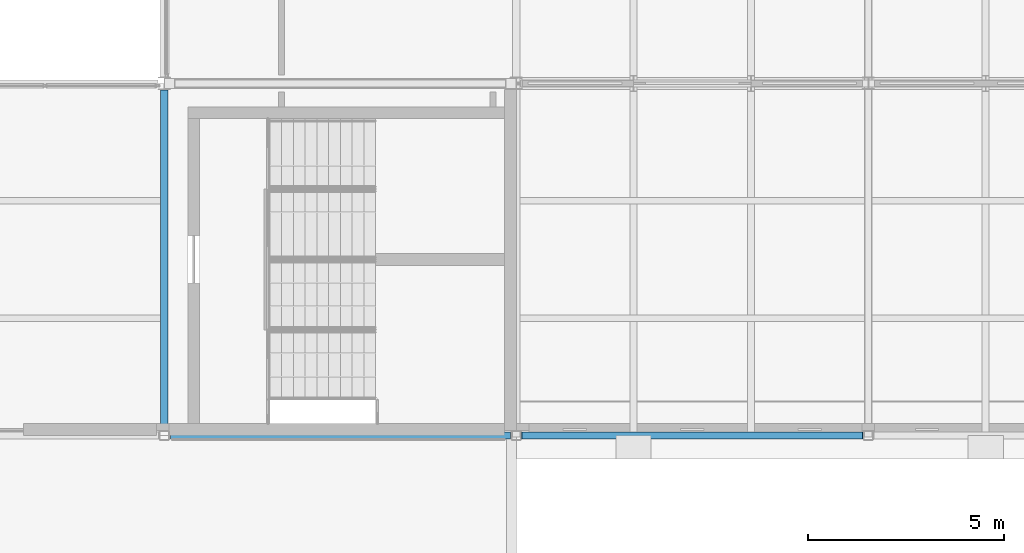
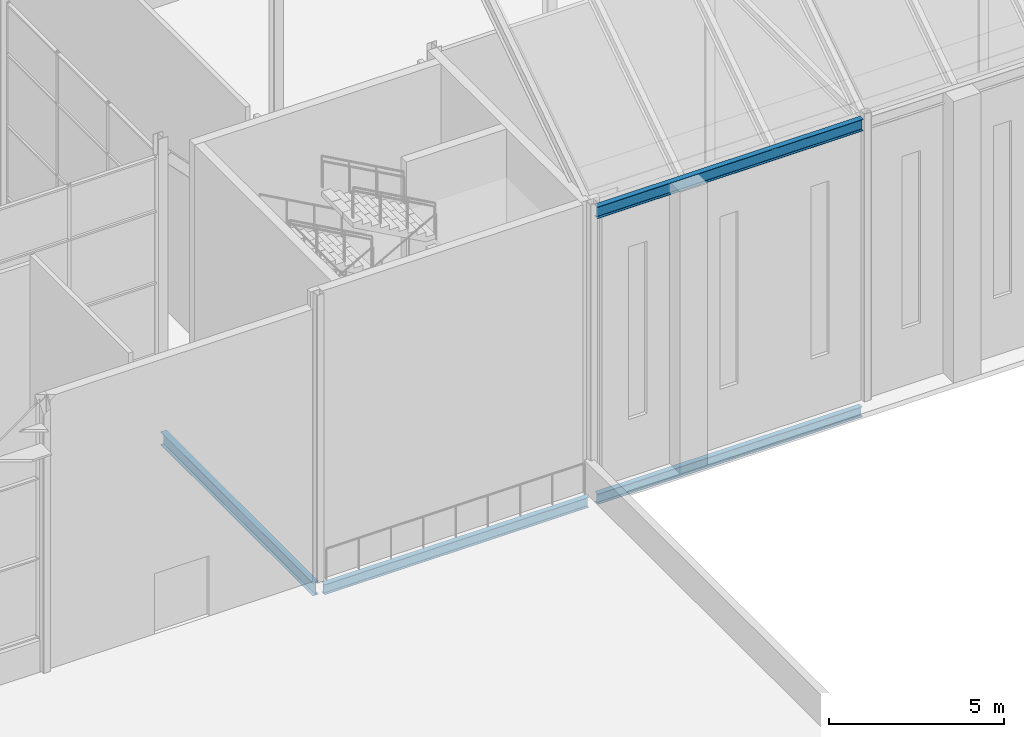
# One storey, part 29 of 111: 4 beams.
"""IFC4 building model written with IfcOpenShell, lengths in metres."""

from ifc_helpers import new_model, si_unit, direction, frame, origin, origin_2d, place, context, subcontext, project, spatial, i_section, extrude, material, material_profile, profile_set, type_object, element, save


model = new_model("IFC4")

# Units and contexts
model_context = context("Model", 3, precision=1e-05, world=origin(), true_north=direction((0.0, 1.0)))
body_context = subcontext(model_context, "Body", "Model", "MODEL_VIEW")
ifc_project = project(units=[si_unit("LENGTHUNIT", "METRE"), si_unit("AREAUNIT", "SQUARE_METRE"), si_unit("VOLUMEUNIT", "CUBIC_METRE"), si_unit("PLANEANGLEUNIT", "RADIAN"), si_unit("MASSUNIT", "GRAM", prefix="KILO")], contexts=[model_context])

# Site, building, storey
site_placement = place(None, origin())
site = spatial("IfcSite", under=ifc_project, at=site_placement, CompositionType="ELEMENT")
building_placement = place(site_placement, origin())
building = spatial("IfcBuilding", under=site, at=building_placement, Name="Shorebreak Coast Museum", CompositionType="ELEMENT")
storey_placement = place(building_placement, frame((0.0, 0.0, 16.0)))
storey = spatial("IfcBuildingStorey", under=building, at=storey_placement, Name="L03", CompositionType="ELEMENT", Elevation=16.0)

# Beams
ifc_material_1 = material(Name="Steel Grade 300", Category="steel")
ifc_material_profile_1 = material_profile(ifc_material_1, i_section(OverallWidth=0.1708984375, OverallDepth=0.355712890625, WebThickness=0.00732421875, FlangeThickness=0.011474609375, FilletRadius=0.011474609375, at=origin_2d()), Name="360UB50.7")
ifc_profile_set_1 = profile_set([ifc_material_profile_1], Name="Steel Grade 300")
beam_type_1 = type_object("IfcBeamType", Name="Floor girder east-west 360UB50.7", PredefinedType="BEAM", material=ifc_profile_set_1)
beam_1_placement = place(storey_placement, frame((108.153564453125, 54.0, -0.352783203125), z_axis=(1.0, 0.0, 0.0), x_axis=(0.0, 1.0, 0.0)))
element("IfcBeam", 1, at=beam_1_placement, inside=storey, type_object=beam_type_1, Name="Floor girder east-west L03 13G", PredefinedType="BEAM", context=body_context, shape_type="SweptSolid", body=[
    extrude(i_section(OverallWidth=0.1708984375, OverallDepth=0.355712890625, WebThickness=0.00732421875, FlangeThickness=0.011474609375, FilletRadius=0.011474609375, at=origin_2d()), origin(), (0.0, 0.0, 1.0), 8.696533203125),
])
beam_2_placement = place(storey_placement, frame((117.14990234375, 54.0, -0.352783203125), z_axis=(1.0, 0.0, 0.0), x_axis=(0.0, 1.0, 0.0)))
element("IfcBeam", 2, at=beam_2_placement, inside=storey, type_object=beam_type_1, Name="Floor girder east-west L03 14G", PredefinedType="BEAM", context=body_context, shape_type="SweptSolid", body=[
    extrude(i_section(OverallWidth=0.1708984375, OverallDepth=0.355712890625, WebThickness=0.00732421875, FlangeThickness=0.011474609375, FilletRadius=0.011474609375, at=origin_2d()), origin(), (0.0, 0.0, 1.0), 8.7001953125),
])
ifc_material_2 = material(Name="Steel Grade 300", Category="steel")
ifc_material_profile_2 = material_profile(ifc_material_2, i_section(OverallWidth=0.18994140625, OverallDepth=0.453857421875, WebThickness=0.008544921875, FlangeThickness=0.0126953125, FilletRadius=0.011474609375, at=origin_2d()), Name="460UB67.1")
ifc_profile_set_2 = profile_set([ifc_material_profile_2], Name="Steel Grade 300")
beam_type_2 = type_object("IfcBeamType", Name="Floor girder north-south 460UB67.1", PredefinedType="BEAM", material=ifc_profile_set_2)
beam_3_placement = place(storey_placement, frame((108.0, 54.1572265625, -0.40185546875), z_axis=(0.0, 1.0, 0.0), x_axis=(-1.0, 0.0, 0.0)))
element("IfcBeam", 3, at=beam_3_placement, inside=storey, type_object=beam_type_2, Name="Floor girder north-south L03 13G", PredefinedType="BEAM", context=body_context, shape_type="SweptSolid", body=[
    extrude(i_section(OverallWidth=0.18994140625, OverallDepth=0.453857421875, WebThickness=0.008544921875, FlangeThickness=0.0126953125, FilletRadius=0.011474609375, at=origin_2d()), origin(), (0.0, 0.0, 1.0), 8.67919921875),
])
ifc_material_3 = material(Name="Steel Grade 300", Category="steel")
ifc_material_profile_3 = material_profile(ifc_material_3, i_section(OverallWidth=0.177978515625, OverallDepth=0.406494140625, WebThickness=0.0078125, FlangeThickness=0.0126953125, FilletRadius=0.011474609375, at=origin_2d()), Name="410UB59.7")
ifc_profile_set_3 = profile_set([ifc_material_profile_3], Name="Steel Grade 300")
beam_type_3 = type_object("IfcBeamType", Name="Fold valley girder 410UB59.7", PredefinedType="BEAM", material=ifc_profile_set_3)
beam_4_placement = place(storey_placement, frame((117.125, 54.0, 9.61572265625), z_axis=(1.0, 0.0, 0.0), x_axis=(0.0, 1.0, 0.0)))
element("IfcBeam", 4, at=beam_4_placement, inside=storey, type_object=beam_type_3, Name="Fold valley girder FOLD-E line G bay 14G", PredefinedType="BEAM", context=body_context, shape_type="SweptSolid", body=[
    extrude(i_section(OverallWidth=0.177978515625, OverallDepth=0.406494140625, WebThickness=0.0078125, FlangeThickness=0.0126953125, FilletRadius=0.011474609375, at=origin_2d()), origin(), (0.0, 0.0, 1.0), 8.75),
])

save(model, "model.ifc")
